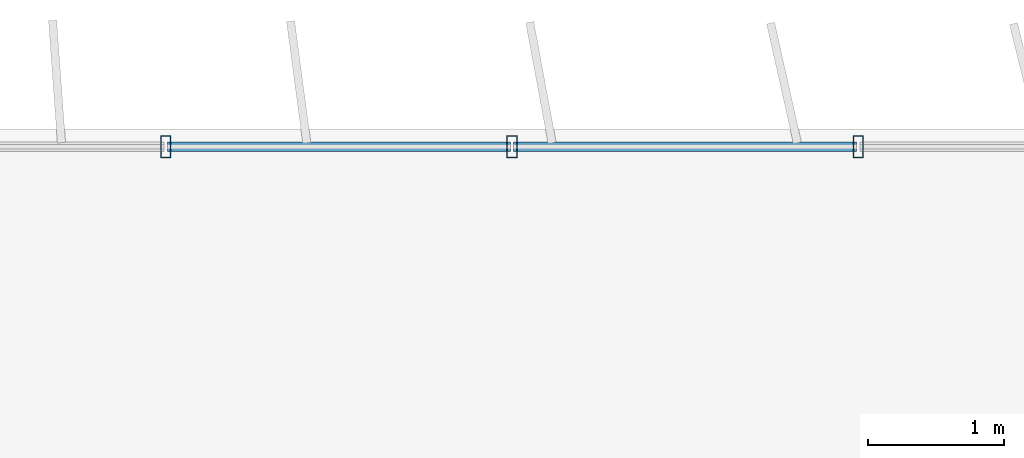
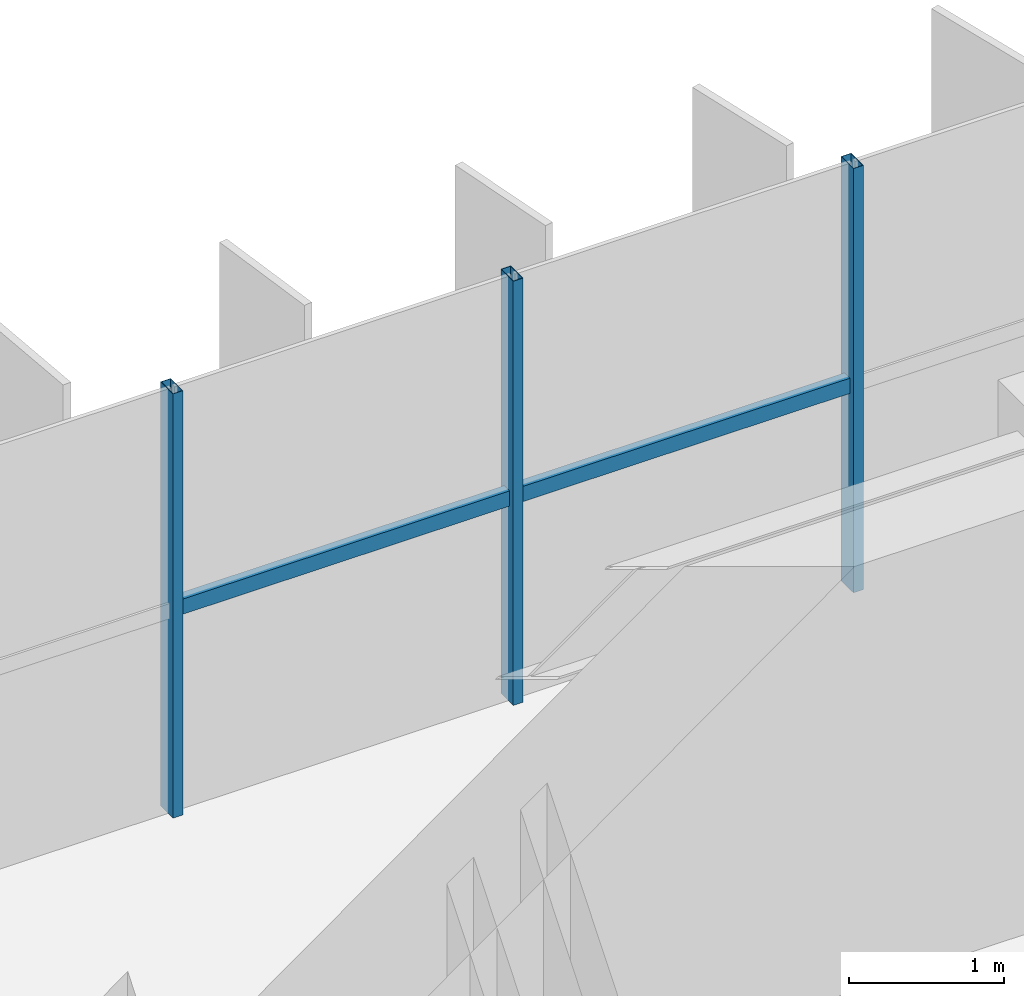
# One storey, part 6 of 20: 5 members, 1 element without a shape of its own.
"""IFC4 building model written with IfcOpenShell, lengths in metres."""

from ifc_helpers import new_model, si_unit, direction, frame, origin, origin_2d, place, context, subcontext, project, spatial, hollow_rectangle, extrude, source, transform, mapped, material, material_profile, profile_set, type_object, element, aggregate, save


model = new_model("IFC4")

# Units and contexts
model_context = context("Model", 3, precision=1e-05, world=origin(), true_north=direction((0.0, 1.0)))
body_context = subcontext(model_context, "Body", "Model", "MODEL_VIEW")
ifc_project = project(units=[si_unit("LENGTHUNIT", "METRE"), si_unit("AREAUNIT", "SQUARE_METRE"), si_unit("VOLUMEUNIT", "CUBIC_METRE"), si_unit("PLANEANGLEUNIT", "RADIAN"), si_unit("MASSUNIT", "GRAM", prefix="KILO")], contexts=[model_context])

# Site, building, storey
site_placement = place(None, origin())
site = spatial("IfcSite", under=ifc_project, at=site_placement, CompositionType="ELEMENT")
building_placement = place(site_placement, origin())
building = spatial("IfcBuilding", under=site, at=building_placement, Name="Trelvane Seafront Commons", CompositionType="ELEMENT")
storey_placement = place(building_placement, frame((0.0, 0.0, 164.5)))
storey = spatial("IfcBuildingStorey", under=building, at=storey_placement, Name="L43", CompositionType="ELEMENT", Elevation=164.5)

# Curtain wall, members
ifc_material = material(Name="Anodised pale-silver aluminium", Category="aluminium")
curtain_wall_type = type_object("IfcCurtainWallType", Name="ARCH-CW5-UPTOWER", PredefinedType="NOTDEFINED", material=ifc_material)
curtain_wall_placement = place(storey_placement, origin())
curtain_wall = element("IfcCurtainWall", 1, at=curtain_wall_placement, inside=storey, type_object=curtain_wall_type, Name="CW-L43-0070", PredefinedType="NOTDEFINED")
ifc_material_profile_1 = material_profile(ifc_material, hollow_rectangle(XDim=0.070068359375, YDim=0.1201171875, WallThickness=0.00390625, at=origin_2d()), Name="TRAN-70x120x4")
ifc_profile_set_1 = profile_set([ifc_material_profile_1], Name="Anodised pale-silver aluminium")
member_type_1 = type_object("IfcMemberType", Name="ARCH-CW-TRAN-120", PredefinedType="USERDEFINED", material=ifc_profile_set_1)
shared_shape_1 = source(origin(), body_context, "Body", "SweptSolid", [
    extrude(hollow_rectangle(XDim=0.070068359375, YDim=0.1201171875, WallThickness=0.00390625, at=origin_2d()), origin(), (0.0, 0.0, 1.0), 2.517333984375),
])
member_1_placement = place(storey_placement, frame((25.776611328125, 48.3701171875, 1.60791015625), z_axis=(1.0, 0.0, 0.0), x_axis=(0.0, 1.0, 0.0)))
member_1 = element("IfcMember", 2, at=member_1_placement, type_object=member_type_1, Name="CW-L43-0070-T04", ObjectType="TRANSOM", PredefinedType="USERDEFINED", context=body_context, shape_type="MappedRepresentation", body=[
    mapped(shared_shape_1, transform((0.0, 0.0, 0.0), x_axis=(1.0, 0.0, 0.0), y_axis=(0.0, 1.0, 0.0), z_axis=(0.0, 0.0, 1.0), scale=1.0)),
])
member_2_placement = place(storey_placement, frame((28.31787109375, 48.3701171875, 1.60791015625), z_axis=(1.0, 0.0, 0.0), x_axis=(0.0, 1.0, 0.0)))
member_2 = element("IfcMember", 3, at=member_2_placement, type_object=member_type_1, Name="CW-L43-0070-T05", ObjectType="TRANSOM", PredefinedType="USERDEFINED", context=body_context, shape_type="MappedRepresentation", body=[
    mapped(shared_shape_1, transform((0.0, 0.0, 0.0), x_axis=(1.0, 0.0, 0.0), y_axis=(0.0, 1.0, 0.0), z_axis=(0.0, 0.0, 1.0), scale=1.0)),
])
ifc_material_profile_2 = material_profile(ifc_material, hollow_rectangle(XDim=0.074951171875, YDim=0.159912109375, WallThickness=0.00390625, at=origin_2d()), Name="MULL-75x160x4")
ifc_profile_set_2 = profile_set([ifc_material_profile_2], Name="Anodised pale-silver aluminium")
member_type_2 = type_object("IfcMemberType", Name="ARCH-CW-MULL-160", PredefinedType="MULLION", material=ifc_profile_set_2)
shared_shape_2 = source(origin(), body_context, "Body", "SweptSolid", [
    extrude(hollow_rectangle(XDim=0.074951171875, YDim=0.159912109375, WallThickness=0.00390625, at=origin_2d()), origin(), (0.0, 0.0, 1.0), 3.35009765625),
])
member_3_placement = place(storey_placement, frame((25.7646484375, 48.3701171875, 0.0), z_axis=(0.0, 0.0, 1.0), x_axis=(1.0, 0.0, 0.0)))
member_3 = element("IfcMember", 4, at=member_3_placement, type_object=member_type_2, Name="CW-L43-0070-M04", PredefinedType="MULLION", context=body_context, shape_type="MappedRepresentation", body=[
    mapped(shared_shape_2, transform((0.0, 0.0, 0.0), x_axis=(1.0, 0.0, 0.0), y_axis=(0.0, 1.0, 0.0), z_axis=(0.0, 0.0, 1.0), scale=1.0)),
])
member_4_placement = place(storey_placement, frame((28.305908203125, 48.3701171875, 0.0), z_axis=(0.0, 0.0, 1.0), x_axis=(1.0, 0.0, 0.0)))
member_4 = element("IfcMember", 5, at=member_4_placement, type_object=member_type_2, Name="CW-L43-0070-M05", PredefinedType="MULLION", context=body_context, shape_type="MappedRepresentation", body=[
    mapped(shared_shape_2, transform((0.0, 0.0, 0.0), x_axis=(1.0, 0.0, 0.0), y_axis=(0.0, 1.0, 0.0), z_axis=(0.0, 0.0, 1.0), scale=1.0)),
])
member_5_placement = place(storey_placement, frame((30.84716796875, 48.3701171875, 0.0), z_axis=(0.0, 0.0, 1.0), x_axis=(1.0, 0.0, 0.0)))
member_5 = element("IfcMember", 6, at=member_5_placement, type_object=member_type_2, Name="CW-L43-0070-M06", PredefinedType="MULLION", context=body_context, shape_type="MappedRepresentation", body=[
    mapped(shared_shape_2, transform((0.0, 0.0, 0.0), x_axis=(1.0, 0.0, 0.0), y_axis=(0.0, 1.0, 0.0), z_axis=(0.0, 0.0, 1.0), scale=1.0)),
])
aggregate(curtain_wall, [member_3, member_4, member_5, member_1, member_2])

save(model, "model.ifc")
